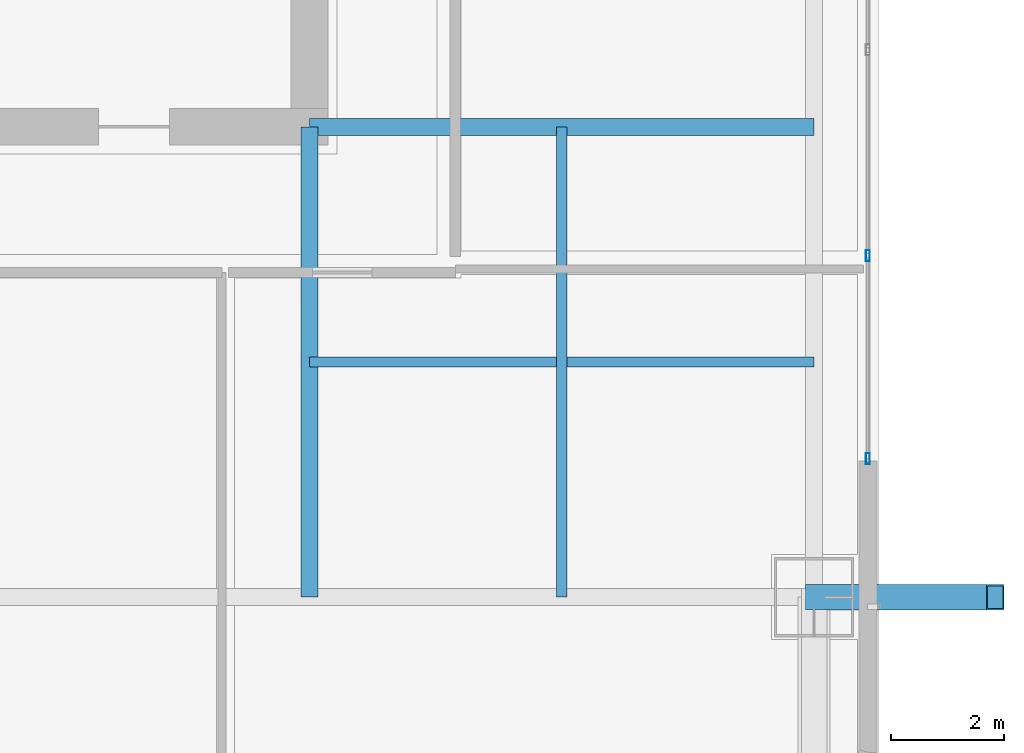
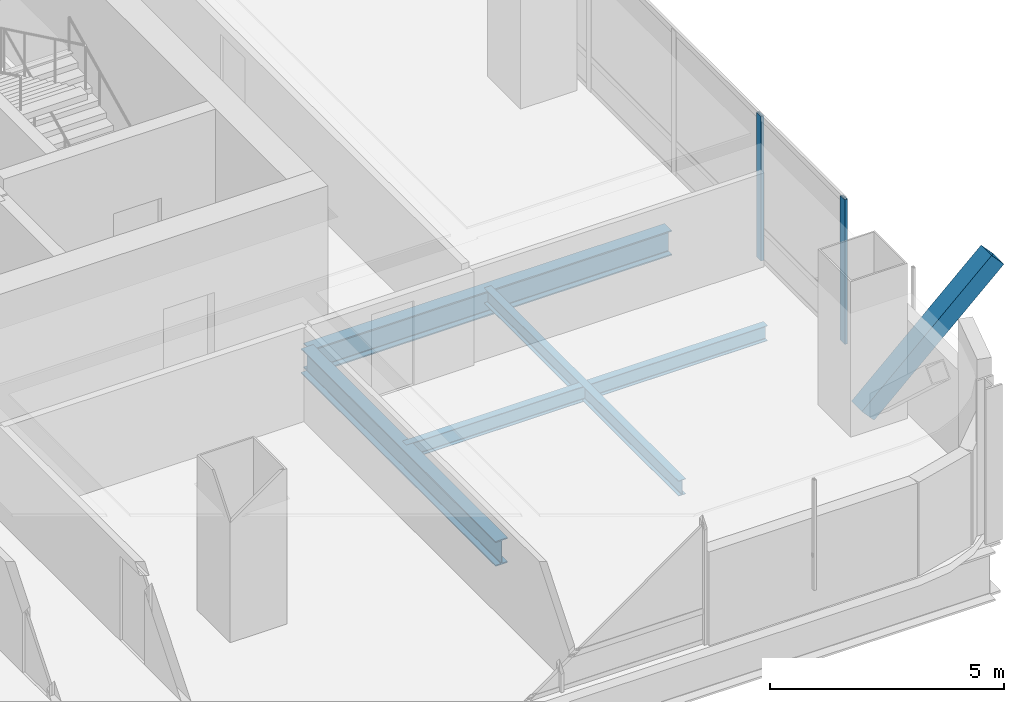
# One storey, part 14 of 46: 4 beams, 3 members, 1 element without a shape of its own.
"""IFC4 building model written with IfcOpenShell, lengths in metres."""

from ifc_helpers import new_model, si_unit, direction, frame, origin, origin_2d, place, context, subcontext, project, spatial, hollow_rectangle, i_section, extrude, material, material_profile, profile_set, type_object, element, aggregate, save


model = new_model("IFC4")

# Units and contexts
model_context = context("Model", 3, precision=1e-05, world=origin(), true_north=direction((0.0, 1.0)))
body_context = subcontext(model_context, "Body", "Model", "MODEL_VIEW")
ifc_project = project(units=[si_unit("LENGTHUNIT", "METRE"), si_unit("AREAUNIT", "SQUARE_METRE"), si_unit("VOLUMEUNIT", "CUBIC_METRE"), si_unit("PLANEANGLEUNIT", "RADIAN"), si_unit("MASSUNIT", "GRAM", prefix="KILO")], contexts=[model_context])

# Site, building, storey
site_placement = place(None, origin())
site = spatial("IfcSite", under=ifc_project, at=site_placement, CompositionType="ELEMENT")
building_placement = place(site_placement, origin())
building = spatial("IfcBuilding", under=site, at=building_placement, Name="Punatoya Terracotta Tower", CompositionType="ELEMENT")
storey_placement = place(building_placement, frame((0.0, 0.0, 200.550048828125)))
storey = spatial("IfcBuildingStorey", under=building, at=storey_placement, Name="L47", CompositionType="ELEMENT", Elevation=200.550048828125)

# Beams
ifc_material_1 = material(Name="Steel S355", Category="steel")
ifc_material_profile_1 = material_profile(ifc_material_1, i_section(OverallWidth=0.300048828125, OverallDepth=0.64990234375, WebThickness=0.01611328125, FlangeThickness=0.031005859375, FilletRadius=0.01806640625, at=origin_2d()))
ifc_profile_set_1 = profile_set([ifc_material_profile_1], Name="Steel S355")
beam_type_1 = type_object("IfcBeamType", Name="BM-PRI-650", PredefinedType="BEAM", material=ifc_profile_set_1)
beam_1_placement = place(storey_placement, frame((10.199951171875, -9.199951171875, -0.545166015625), z_axis=(1.0, 0.0, 0.0), x_axis=(0.0, 1.0, 0.0)))
element("IfcBeam", 1, at=beam_1_placement, inside=storey, type_object=beam_type_1, Name="BM-L47-PR-ES", PredefinedType="BEAM", context=body_context, shape_type="SweptSolid", body=[
    extrude(i_section(OverallWidth=0.300048828125, OverallDepth=0.64990234375, WebThickness=0.01611328125, FlangeThickness=0.031005859375, FilletRadius=0.01806640625, at=origin_2d()), origin(), (0.0, 0.0, 1.0), 8.900146484375),
])
beam_2_placement = place(storey_placement, frame((10.199951171875, -17.5, -0.545166015625), z_axis=(0.0, 1.0, 0.0), x_axis=(-1.0, 0.0, 0.0)))
element("IfcBeam", 2, at=beam_2_placement, inside=storey, type_object=beam_type_1, Name="BM-L47-PR-S4", PredefinedType="BEAM", context=body_context, shape_type="SweptSolid", body=[
    extrude(i_section(OverallWidth=0.300048828125, OverallDepth=0.64990234375, WebThickness=0.01611328125, FlangeThickness=0.031005859375, FilletRadius=0.01806640625, at=origin_2d()), origin(), (0.0, 0.0, 1.0), 8.300048828125),
])
ifc_material_profile_2 = material_profile(ifc_material_1, i_section(OverallWidth=0.179931640625, OverallDepth=0.39990234375, WebThickness=0.008544921875, FlangeThickness=0.013427734375, FilletRadius=0.01806640625, at=origin_2d()))
ifc_profile_set_2 = profile_set([ifc_material_profile_2], Name="Steel S355")
beam_type_2 = type_object("IfcBeamType", Name="BM-SEC-400", PredefinedType="JOIST", material=ifc_profile_set_2)
beam_3_placement = place(storey_placement, frame((10.199951171875, -13.35009765625, -0.420166015625), z_axis=(1.0, 0.0, 0.0), x_axis=(0.0, 1.0, 0.0)))
element("IfcBeam", 3, at=beam_3_placement, inside=storey, type_object=beam_type_2, Name="BM-L47-SJS-2", PredefinedType="JOIST", context=body_context, shape_type="SweptSolid", body=[
    extrude(i_section(OverallWidth=0.179931640625, OverallDepth=0.39990234375, WebThickness=0.008544921875, FlangeThickness=0.013427734375, FilletRadius=0.01806640625, at=origin_2d()), origin(), (0.0, 0.0, 1.0), 8.900146484375),
])
beam_4_placement = place(storey_placement, frame((14.64990234375, -17.5, -0.420166015625), z_axis=(0.0, 1.0, 0.0), x_axis=(-1.0, 0.0, 0.0)))
element("IfcBeam", 4, at=beam_4_placement, inside=storey, type_object=beam_type_2, Name="BM-L47-SJE-1", PredefinedType="JOIST", context=body_context, shape_type="SweptSolid", body=[
    extrude(i_section(OverallWidth=0.179931640625, OverallDepth=0.39990234375, WebThickness=0.008544921875, FlangeThickness=0.013427734375, FilletRadius=0.01806640625, at=origin_2d()), origin(), (0.0, 0.0, 1.0), 8.300048828125),
])

# Curtain wall, members
ifc_material_2 = material(Name="Aluminium 6063-T6 + Double Low-E Glass", Category="aluminium")
curtain_wall_type = type_object("IfcCurtainWallType", Name="CW-M2", PredefinedType="NOTDEFINED", material=ifc_material_2)
curtain_wall_placement = place(storey_placement, origin())
curtain_wall = element("IfcCurtainWall", 5, at=curtain_wall_placement, inside=storey, type_object=curtain_wall_type, Name="L47 Curtain Wall CW-L47-E05-1", PredefinedType="NOTDEFINED")
ifc_material_3 = material(Name="Aluminium 6063-T6", Category="aluminium")
ifc_material_profile_3 = material_profile(ifc_material_3, hollow_rectangle(XDim=0.072021484375, YDim=0.195068359375, WallThickness=0.00439453125, at=origin_2d()))
ifc_profile_set_3 = profile_set([ifc_material_profile_3], Name="Aluminium 6063-T6")
member_type_1 = type_object("IfcMemberType", Name="CW-MUL-M2", PredefinedType="MULLION", material=ifc_profile_set_3)
member_1_placement = place(storey_placement, frame((20.050048828125, -15.054931640625, 0.0), z_axis=(0.0, 0.0, 1.0), x_axis=(1.0, 0.0, 0.0)))
member_1 = element("IfcMember", 6, at=member_1_placement, type_object=member_type_1, Name="CW-L47-E05-1 Mullion 00", PredefinedType="MULLION", context=body_context, shape_type="SweptSolid", body=[
    extrude(hollow_rectangle(XDim=0.072021484375, YDim=0.195068359375, WallThickness=0.00439453125, at=origin_2d()), origin(), (0.0, 0.0, 1.0), 3.77001953125),
])
member_2_placement = place(storey_placement, frame((20.050048828125, -11.471435546875, 0.0), z_axis=(0.0, 0.0, 1.0), x_axis=(1.0, 0.0, 0.0)))
member_2 = element("IfcMember", 7, at=member_2_placement, type_object=member_type_1, Name="CW-L47-E05-1 Mullion 01", PredefinedType="MULLION", context=body_context, shape_type="SweptSolid", body=[
    extrude(hollow_rectangle(XDim=0.072021484375, YDim=0.195068359375, WallThickness=0.00439453125, at=origin_2d()), origin(), (0.0, 0.0, 1.0), 3.77001953125),
])
aggregate(curtain_wall, [member_1, member_2])

# Member
ifc_material_4 = material(Name="Steel S460", Category="steel")
ifc_material_profile_4 = material_profile(ifc_material_4, hollow_rectangle(XDim=0.449951171875, YDim=0.449951171875, WallThickness=0.02490234375, at=origin_2d()))
ifc_profile_set_4 = profile_set([ifc_material_profile_4], Name="Steel S460")
member_type_2 = type_object("IfcMemberType", Name="MEM-STR-450", PredefinedType="STRUT", material=ifc_profile_set_4)
member_3_placement = place(storey_placement, frame((19.10009765625, -17.5, 0.02001953125), z_axis=(0.735244168043, 0.0, 0.677802340922), x_axis=(0.0, 1.0, 0.0)))
element("IfcMember", 8, at=member_3_placement, inside=storey, type_object=member_type_2, Name="L48 Cantilever Raking Knee-Strut E1", PredefinedType="STRUT", context=body_context, shape_type="SweptSolid", body=[
    extrude(hollow_rectangle(XDim=0.449951171875, YDim=0.449951171875, WallThickness=0.02490234375, at=origin_2d()), origin(), (0.0, 0.0, 1.0), 4.352294921875),
])

save(model, "model.ifc")
